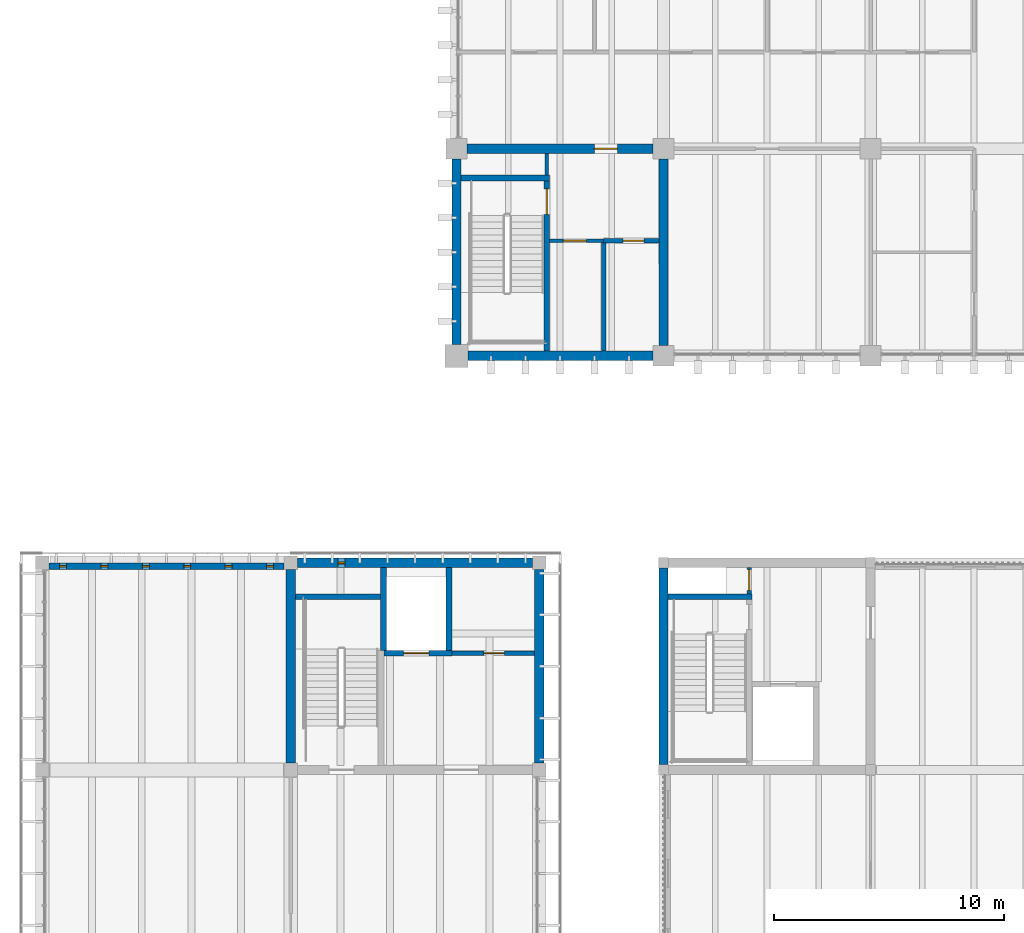
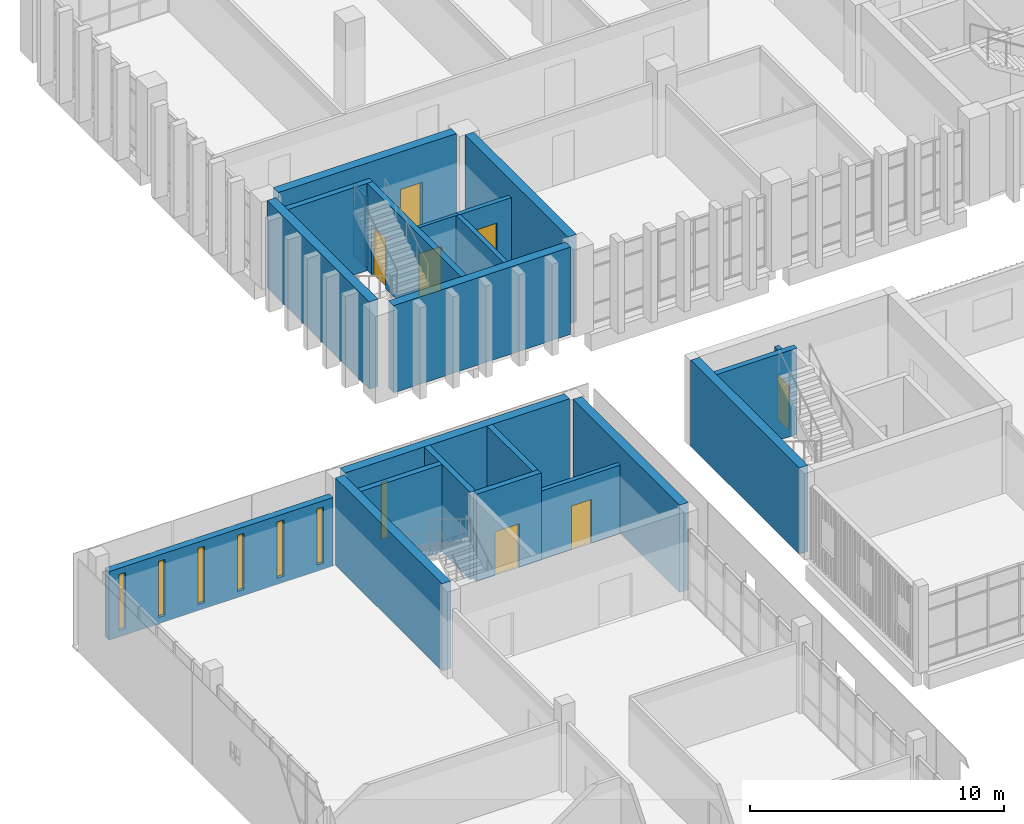
# One storey, part 57 of 88: 22 walls, 7 doors, 7 windows, 14 openings.
"""IFC4 building model written with IfcOpenShell, lengths in metres."""

import ifcopenshell
import ifcopenshell.guid

model = None  # the IFC model being written
_history = None  # IfcOwnerHistory: only IFC2X3 demands one
_inside = {}  # id of a spatial element -> (the spatial element, [elements in it])
_under = {}  # id of a project, library or spatial element -> (it, [spatial elements below it])
_declared = {}  # id of a project -> (the project, [libraries it declares])
_typed = {}  # id of a type object -> (the type object, [elements of that type])
_made_of = {}  # id of a material, layer set ... -> (it, [elements and type objects made of it])


def new_model(schema):
    """Start an empty IFC model of exactly this schema.

    Asked for "IFC4X3", IfcOpenShell would pick the latest addendum, in which some entities
    have other attributes; the version numbers below select the first issue.
    IFC2X3 requires an IfcOwnerHistory on every rooted entity: one is made here for all.
    """
    global model, _history
    if schema == "IFC4X3":
        model = ifcopenshell.file(schema_version=(4, 3, 0, 0))
    else:
        model = ifcopenshell.file(schema=schema)
    _inside.clear()
    _under.clear()
    _declared.clear()
    _typed.clear()
    _made_of.clear()
    _history = None
    if model.schema == "IFC2X3":
        org = make("IfcOrganization", Name="unknown")
        user = make(
            "IfcPersonAndOrganization",
            ThePerson=make("IfcPerson", FamilyName="unknown"),
            TheOrganization=org,
        )
        app = make(
            "IfcApplication",
            ApplicationDeveloper=org,
            Version="unknown",
            ApplicationFullName="unknown",
            ApplicationIdentifier="unknown",
        )
        _history = make(
            "IfcOwnerHistory",
            OwningUser=user,
            OwningApplication=app,
            ChangeAction="ADDED",
            CreationDate=0,
        )
    return model


def make(cls, **values):
    """One entity of the class cls with the attributes given. An attribute that is None is left unset."""
    return model.create_entity(
        cls, **{name: value for name, value in values.items() if value is not None}
    )


def rooted(cls, **values):
    """An entity with a GlobalId (a new one), such as an element, a storey or a relation."""
    return make(cls, GlobalId=ifcopenshell.guid.new(), OwnerHistory=_history, **values)


def si_unit(unit_type, name, prefix=None):
    """IfcSIUnit, for example si_unit("LENGTHUNIT", "METRE", prefix="MILLI")."""
    return make("IfcSIUnit", UnitType=unit_type, Prefix=prefix, Name=name)


def assignment(units):
    """IfcUnitAssignment: the units of a project."""
    return None if units is None else make("IfcUnitAssignment", Units=units)


def point(xyz):
    """IfcCartesianPoint."""
    return None if xyz is None else make("IfcCartesianPoint", Coordinates=xyz)


def direction(xyz):
    """IfcDirection."""
    return None if xyz is None else make("IfcDirection", DirectionRatios=xyz)


def frame(location, z_axis=None, x_axis=None):
    """IfcAxis2Placement3D, a coordinate frame: its origin and axes. An axis left out is left unset."""
    return make(
        "IfcAxis2Placement3D",
        Location=point(location),
        Axis=direction(z_axis),
        RefDirection=direction(x_axis),
    )


def frame_2d(location, x_axis=None):
    """IfcAxis2Placement2D, a coordinate frame in the plane: its origin and x axis."""
    return make(
        "IfcAxis2Placement2D", Location=point(location), RefDirection=direction(x_axis)
    )


def origin():
    """The frame at (0, 0, 0) with its axes left unset."""
    return frame((0.0, 0.0, 0.0))


def place(relative_to, where):
    """IfcLocalPlacement: puts the frame where relative to a parent placement (None: the world)."""
    return make(
        "IfcLocalPlacement", PlacementRelTo=relative_to, RelativePlacement=where
    )


def context(
    kind, dimensions, precision=None, world=None, true_north=None, identifier=None
):
    """IfcGeometricRepresentationContext, for example the 3D "Model" context."""
    return make(
        "IfcGeometricRepresentationContext",
        ContextIdentifier=identifier,
        ContextType=kind,
        CoordinateSpaceDimension=dimensions,
        Precision=precision,
        WorldCoordinateSystem=world,
        TrueNorth=true_north,
    )


def subcontext(parent, identifier, kind, view, scale=None):
    """IfcGeometricRepresentationSubContext, for example "Body" below "Model"."""
    return make(
        "IfcGeometricRepresentationSubContext",
        ContextIdentifier=identifier,
        ContextType=kind,
        ParentContext=parent,
        TargetScale=scale,
        TargetView=view,
    )


def project(units=None, contexts=None):
    """IfcProject with its units and contexts."""
    return rooted(
        "IfcProject",
        Name="project",
        RepresentationContexts=contexts,
        UnitsInContext=assignment(units),
    )


def spatial(cls, under=None, at=None, **own):
    """A site, building, storey or space (cls), placed at a placement, below another one or the project."""
    s = rooted(cls, ObjectPlacement=at, **own)
    if under is not None:
        _under.setdefault(under.id(), (under, []))[1].append(s)
    return s


def profile(cls, at=None, kind="AREA", **sizes):
    """A parametric profile (cls). Its sizes go by their IFC names, for example OverallWidth=200.0."""
    return make(cls, ProfileType=kind, Position=at, **sizes)


def rectangle(**sizes):
    """IfcRectangleProfileDef."""
    return profile("IfcRectangleProfileDef", **sizes)


def extrude(swept, where, along, depth):
    """IfcExtrudedAreaSolid: the profile swept, set in the frame where, extruded along a direction by depth."""
    return make(
        "IfcExtrudedAreaSolid",
        SweptArea=swept,
        Position=where,
        ExtrudedDirection=direction(along),
        Depth=depth,
    )


def shape(context_of_items, identifier, shape_type, items):
    """IfcShapeRepresentation: the items that make up one representation, for example the "Body"."""
    return make(
        "IfcShapeRepresentation",
        ContextOfItems=context_of_items,
        RepresentationIdentifier=identifier,
        RepresentationType=shape_type,
        Items=items,
    )


def material(Name=None, Category=None):
    """IfcMaterial."""
    return make("IfcMaterial", Name=Name, Category=Category)


def layer(
    of_material, thickness, ventilated=None, Name=None, Category=None, Priority=None
):
    """IfcMaterialLayer: one layer of a wall or slab, of a material (None: an air gap)."""
    return make(
        "IfcMaterialLayer",
        Material=of_material,
        LayerThickness=thickness,
        IsVentilated=ventilated,
        Name=Name,
        Category=Category,
        Priority=Priority,
    )


def layer_set(layers, Name=None):
    """IfcMaterialLayerSet."""
    return make("IfcMaterialLayerSet", MaterialLayers=layers, LayerSetName=Name)


def made_of(thing, what):
    """Note that an element or type object is made of a material, layer set ...; save() writes the relation."""
    if what is not None:
        _made_of.setdefault(what.id(), (what, []))[1].append(thing)
    return thing


def type_object(cls, material=None, **own):
    """A type object (cls), such as IfcWallType, which elements share."""
    return made_of(rooted(cls, **own), material)


def element(
    cls,
    number,
    at=None,
    inside=None,
    cuts=None,
    type_object=None,
    material=None,
    context=None,
    identifier="Body",
    shape_type=None,
    held_by="IfcProductDefinitionShape",
    body=None,
    shapes=None,
    **own,
):
    """One element of the class cls, such as IfcWall. Its Tag is "e" and its number.

    at: its placement. inside: the storey or other place that contains it. cuts: it is an
    opening in that element (IfcRelVoidsElement). A single representation is given by context,
    identifier, shape_type and body (its items); several are given by shapes. held_by: the class
    of the entity that holds the representations. save() writes the other relations.
    """
    e = rooted(cls, Tag="e%d" % number, ObjectPlacement=at, **own)
    if body is not None:
        shapes = [shape(context, identifier, shape_type, body)]
    if shapes is not None:
        e.Representation = make(held_by, Representations=shapes)
    if inside is not None:
        _inside.setdefault(inside.id(), (inside, []))[1].append(e)
    if cuts is not None:
        rooted(
            "IfcRelVoidsElement", RelatingBuildingElement=cuts, RelatedOpeningElement=e
        )
    if type_object is not None:
        _typed.setdefault(type_object.id(), (type_object, []))[1].append(e)
    return made_of(e, material)


def fill(opening, filler):
    """IfcRelFillsElement: the door or window that sits in an opening."""
    return rooted(
        "IfcRelFillsElement",
        RelatingOpeningElement=opening,
        RelatedBuildingElement=filler,
    )


def aggregate(whole, parts):
    """IfcRelAggregates: a whole, such as a stair, and the parts it consists of."""
    return rooted("IfcRelAggregates", RelatingObject=whole, RelatedObjects=parts)


def save(model, path):
    """Write the relations noted so far, then the file.

    IfcRelAggregates (storeys below a building ...), IfcRelContainedInSpatialStructure (elements
    in a storey), IfcRelDefinesByType, IfcRelAssociatesMaterial and IfcRelDeclares: one each for
    every whole, place, type object, material and project.
    """
    for whole, parts in _under.values():
        aggregate(whole, parts)
    for where, things in _inside.values():
        rooted(
            "IfcRelContainedInSpatialStructure",
            RelatedElements=things,
            RelatingStructure=where,
        )
    for kind, things in _typed.values():
        rooted("IfcRelDefinesByType", RelatedObjects=things, RelatingType=kind)
    for what, things in _made_of.values():
        rooted("IfcRelAssociatesMaterial", RelatedObjects=things, RelatingMaterial=what)
    for by, libraries in _declared.values():
        rooted("IfcRelDeclares", RelatingContext=by, RelatedDefinitions=libraries)
    model.write(path)


model = new_model("IFC4")

# Units and contexts
model_context = context("Model", 3, precision=1e-05, world=origin(), true_north=direction((0.0, 1.0)))
body_context = subcontext(model_context, "Body", "Model", "MODEL_VIEW")
ifc_project = project(units=[si_unit("LENGTHUNIT", "METRE"), si_unit("AREAUNIT", "SQUARE_METRE"), si_unit("VOLUMEUNIT", "CUBIC_METRE"), si_unit("PLANEANGLEUNIT", "RADIAN"), si_unit("MASSUNIT", "GRAM", prefix="KILO")], contexts=[model_context])

# Site, building, storey
site_placement = place(None, origin())
site = spatial("IfcSite", under=ifc_project, at=site_placement, CompositionType="ELEMENT")
building_placement = place(site_placement, origin())
building = spatial("IfcBuilding", under=site, at=building_placement, Name="Merrow Basin Faculty of Sciences", CompositionType="ELEMENT")
storey_placement = place(building_placement, frame((0.0, 0.0, 9.0)))
storey = spatial("IfcBuildingStorey", under=building, at=storey_placement, Name="L02", CompositionType="ELEMENT", Elevation=9.0)

# Wall
ifc_material_1 = material(Name="Fire-rated gypsum board")
ifc_layer_1 = layer(ifc_material_1, 0.14990234375)
ifc_layer_set_1 = layer_set([ifc_layer_1], Name="Corridor partition 150 fire-rated board on steel studs")
wall_type_1 = type_object("IfcWallType", Name="Corridor partition 150 fire-rated board on steel studs", PredefinedType="PARTITIONING", material=ifc_layer_set_1)
wall_1_placement = place(storey_placement, frame((21.925048828125, 149.85009765625, 0.0), z_axis=(0.0, 0.0, 1.0), x_axis=(0.0, 1.0, 0.0)))
element("IfcWall", 1, at=wall_1_placement, inside=storey, type_object=wall_type_1, Name="IW151 L02 003", PredefinedType="PARTITIONING", context=body_context, shape_type="SweptSolid", body=[
    extrude(rectangle(XDim=0.949951171875, YDim=0.14990234375, at=frame_2d((0.47509765625, 0.0))), origin(), (0.0, 0.0, 1.0), 3.39990234375),
])

# Wall, opening, door
wall_2_placement = place(storey_placement, frame((22.050048828125, 147.0, 0.0), z_axis=(0.0, 0.0, 1.0), x_axis=(1.0, 0.0, 0.0)))
wall_2 = element("IfcWall", 2, at=wall_2_placement, inside=storey, type_object=wall_type_1, Name="IW151 L02 005", PredefinedType="PARTITIONING", context=body_context, shape_type="SweptSolid", body=[
    extrude(rectangle(XDim=2.349853515625, YDim=0.14990234375, at=frame_2d((1.1748046875, 0.0))), origin(), (0.0, 0.0, 1.0), 3.39990234375),
])
opening_1_placement = place(wall_2_placement, frame((0.60009765625, 0.0, 0.0)))
opening_1 = element("IfcOpeningElement", 3, at=opening_1_placement, cuts=wall_2, Name="Opening D02T006", PredefinedType="OPENING", context=body_context, shape_type="SweptSolid", body=[
    extrude(rectangle(XDim=1.0, YDim=2.10009765625, at=frame_2d((0.5, 1.050048828125))), frame((0.0, 0.0849609375, 0.0), z_axis=(0.0, -1.0, 0.0), x_axis=(1.0, 0.0, 0.0)), (0.0, 0.0, 1.0), 0.169921875),
])
ifc_material_2 = material(Name="Timber door leaf", Category="wood")
door_type_1 = type_object("IfcDoorType", Name="Accessible door 1000 x 2100", OperationType="NOTDEFINED", PredefinedType="DOOR", material=ifc_material_2)
door_1_placement = place(opening_1_placement, origin())
door_1 = element("IfcDoor", 4, at=door_1_placement, inside=storey, type_object=door_type_1, Name="Door D02T006", OperationType="SINGLE_SWING_LEFT", OverallHeight=2.10009765625, OverallWidth=1.0, PredefinedType="DOOR", context=body_context, shape_type="SweptSolid", body=[
    extrude(rectangle(XDim=1.0, YDim=2.10009765625, at=frame_2d((0.5, 1.050048828125))), frame((0.0, 0.02490234375, 0.0), z_axis=(0.0, -1.0, 0.0), x_axis=(1.0, 0.0, 0.0)), (0.0, 0.0, 1.0), 0.050048828125),
])
fill(opening_1, door_1)

# Wall, openings, windows
ifc_material_3 = material(Name="Precast concrete C40/50", Category="concrete")
ifc_layer_2 = layer(ifc_material_3, 0.300048828125)
ifc_layer_set_2 = layer_set([ifc_layer_2], Name="End wall 300 Precast concrete C40/50")
wall_type_2 = type_object("IfcWallType", Name="End wall 300 Precast concrete C40/50", PredefinedType="STANDARD", material=ifc_layer_set_2)
wall_3_placement = place(storey_placement, frame((10.5, 132.85009765625, 0.0), z_axis=(0.0, 0.0, 1.0), x_axis=(-1.0, 0.0, 0.0)))
wall_3 = element("IfcWall", 5, at=wall_3_placement, inside=storey, type_object=wall_type_2, Name="North end wall 1", PredefinedType="STANDARD", context=body_context, shape_type="SweptSolid", body=[
    extrude(rectangle(XDim=10.199951171875, YDim=0.300048828125, at=frame_2d((5.10009765625, 0.0))), origin(), (0.0, 0.0, 1.0), 3.300048828125),
])
opening_2_placement = place(wall_3_placement, frame((9.449951171875, 0.0, 0.300048828125)))
opening_2 = element("IfcOpeningElement", 6, at=opening_2_placement, cuts=wall_3, Name="Opening WN1", PredefinedType="OPENING", context=body_context, shape_type="SweptSolid", body=[
    extrude(rectangle(XDim=0.300048828125, YDim=2.699951171875, at=frame_2d((0.14990234375, 1.35009765625))), frame((0.0, 0.159912109375, 0.0), z_axis=(0.0, -1.0, 0.0), x_axis=(1.0, 0.0, 0.0)), (0.0, 0.0, 1.0), 0.320068359375),
])
opening_3_placement = place(wall_3_placement, frame((7.64990234375, 0.0, 0.300048828125)))
opening_3 = element("IfcOpeningElement", 7, at=opening_3_placement, cuts=wall_3, Name="Opening WN1", PredefinedType="OPENING", context=body_context, shape_type="SweptSolid", body=[
    extrude(rectangle(XDim=0.300048828125, YDim=2.699951171875, at=frame_2d((0.14990234375, 1.35009765625))), frame((0.0, 0.159912109375, 0.0), z_axis=(0.0, -1.0, 0.0), x_axis=(1.0, 0.0, 0.0)), (0.0, 0.0, 1.0), 0.320068359375),
])
opening_4_placement = place(wall_3_placement, frame((5.85009765625, 0.0, 0.300048828125)))
opening_4 = element("IfcOpeningElement", 8, at=opening_4_placement, cuts=wall_3, Name="Opening WN1", PredefinedType="OPENING", context=body_context, shape_type="SweptSolid", body=[
    extrude(rectangle(XDim=0.300048828125, YDim=2.699951171875, at=frame_2d((0.14990234375, 1.35009765625))), frame((0.0, 0.159912109375, 0.0), z_axis=(0.0, -1.0, 0.0), x_axis=(1.0, 0.0, 0.0)), (0.0, 0.0, 1.0), 0.320068359375),
])
opening_5_placement = place(wall_3_placement, frame((4.050048828125, 0.0, 0.300048828125)))
opening_5 = element("IfcOpeningElement", 9, at=opening_5_placement, cuts=wall_3, Name="Opening WN1", PredefinedType="OPENING", context=body_context, shape_type="SweptSolid", body=[
    extrude(rectangle(XDim=0.300048828125, YDim=2.699951171875, at=frame_2d((0.14990234375, 1.35009765625))), frame((0.0, 0.159912109375, 0.0), z_axis=(0.0, -1.0, 0.0), x_axis=(1.0, 0.0, 0.0)), (0.0, 0.0, 1.0), 0.320068359375),
])
opening_6_placement = place(wall_3_placement, frame((2.25, 0.0, 0.300048828125)))
opening_6 = element("IfcOpeningElement", 10, at=opening_6_placement, cuts=wall_3, Name="Opening WN1", PredefinedType="OPENING", context=body_context, shape_type="SweptSolid", body=[
    extrude(rectangle(XDim=0.300048828125, YDim=2.699951171875, at=frame_2d((0.14990234375, 1.35009765625))), frame((0.0, 0.159912109375, 0.0), z_axis=(0.0, -1.0, 0.0), x_axis=(1.0, 0.0, 0.0)), (0.0, 0.0, 1.0), 0.320068359375),
])
opening_7_placement = place(wall_3_placement, frame((0.449951171875, 0.0, 0.300048828125)))
opening_7 = element("IfcOpeningElement", 11, at=opening_7_placement, cuts=wall_3, Name="Opening WN1", PredefinedType="OPENING", context=body_context, shape_type="SweptSolid", body=[
    extrude(rectangle(XDim=0.300048828125, YDim=2.699951171875, at=frame_2d((0.14990234375, 1.35009765625))), frame((0.0, 0.159912109375, 0.0), z_axis=(0.0, -1.0, 0.0), x_axis=(1.0, 0.0, 0.0)), (0.0, 0.0, 1.0), 0.320068359375),
])
ifc_material_4 = material(Name="Low-E double glazing", Category="glass")
window_type = type_object("IfcWindowType", Name="Slot window 300 x 2700", PartitioningType="SINGLE_PANEL", PredefinedType="WINDOW", material=ifc_material_4)
window_1_placement = place(opening_2_placement, origin())
window_1 = element("IfcWindow", 12, at=window_1_placement, inside=storey, type_object=window_type, Name="North slot window L02", OverallHeight=2.699951171875, OverallWidth=0.300048828125, PartitioningType="SINGLE_PANEL", PredefinedType="WINDOW", context=body_context, shape_type="SweptSolid", body=[
    extrude(rectangle(XDim=0.300048828125, YDim=2.699951171875, at=frame_2d((0.14990234375, 1.35009765625))), frame((0.0, 0.030029296875, 0.0), z_axis=(0.0, -1.0, 0.0), x_axis=(1.0, 0.0, 0.0)), (0.0, 0.0, 1.0), 0.06005859375),
])
fill(opening_2, window_1)
window_2_placement = place(opening_3_placement, origin())
window_2 = element("IfcWindow", 13, at=window_2_placement, inside=storey, type_object=window_type, Name="North slot window L02", OverallHeight=2.699951171875, OverallWidth=0.300048828125, PartitioningType="SINGLE_PANEL", PredefinedType="WINDOW", context=body_context, shape_type="SweptSolid", body=[
    extrude(rectangle(XDim=0.300048828125, YDim=2.699951171875, at=frame_2d((0.14990234375, 1.35009765625))), frame((0.0, 0.030029296875, 0.0), z_axis=(0.0, -1.0, 0.0), x_axis=(1.0, 0.0, 0.0)), (0.0, 0.0, 1.0), 0.06005859375),
])
fill(opening_3, window_2)
window_3_placement = place(opening_4_placement, origin())
window_3 = element("IfcWindow", 14, at=window_3_placement, inside=storey, type_object=window_type, Name="North slot window L02", OverallHeight=2.699951171875, OverallWidth=0.300048828125, PartitioningType="SINGLE_PANEL", PredefinedType="WINDOW", context=body_context, shape_type="SweptSolid", body=[
    extrude(rectangle(XDim=0.300048828125, YDim=2.699951171875, at=frame_2d((0.14990234375, 1.35009765625))), frame((0.0, 0.030029296875, 0.0), z_axis=(0.0, -1.0, 0.0), x_axis=(1.0, 0.0, 0.0)), (0.0, 0.0, 1.0), 0.06005859375),
])
fill(opening_4, window_3)
window_4_placement = place(opening_5_placement, origin())
window_4 = element("IfcWindow", 15, at=window_4_placement, inside=storey, type_object=window_type, Name="North slot window L02", OverallHeight=2.699951171875, OverallWidth=0.300048828125, PartitioningType="SINGLE_PANEL", PredefinedType="WINDOW", context=body_context, shape_type="SweptSolid", body=[
    extrude(rectangle(XDim=0.300048828125, YDim=2.699951171875, at=frame_2d((0.14990234375, 1.35009765625))), frame((0.0, 0.030029296875, 0.0), z_axis=(0.0, -1.0, 0.0), x_axis=(1.0, 0.0, 0.0)), (0.0, 0.0, 1.0), 0.06005859375),
])
fill(opening_5, window_4)
window_5_placement = place(opening_6_placement, origin())
window_5 = element("IfcWindow", 16, at=window_5_placement, inside=storey, type_object=window_type, Name="North slot window L02", OverallHeight=2.699951171875, OverallWidth=0.300048828125, PartitioningType="SINGLE_PANEL", PredefinedType="WINDOW", context=body_context, shape_type="SweptSolid", body=[
    extrude(rectangle(XDim=0.300048828125, YDim=2.699951171875, at=frame_2d((0.14990234375, 1.35009765625))), frame((0.0, 0.030029296875, 0.0), z_axis=(0.0, -1.0, 0.0), x_axis=(1.0, 0.0, 0.0)), (0.0, 0.0, 1.0), 0.06005859375),
])
fill(opening_6, window_5)
window_6_placement = place(opening_7_placement, origin())
window_6 = element("IfcWindow", 17, at=window_6_placement, inside=storey, type_object=window_type, Name="North slot window L02", OverallHeight=2.699951171875, OverallWidth=0.300048828125, PartitioningType="SINGLE_PANEL", PredefinedType="WINDOW", context=body_context, shape_type="SweptSolid", body=[
    extrude(rectangle(XDim=0.300048828125, YDim=2.699951171875, at=frame_2d((0.14990234375, 1.35009765625))), frame((0.0, 0.030029296875, 0.0), z_axis=(0.0, -1.0, 0.0), x_axis=(1.0, 0.0, 0.0)), (0.0, 0.0, 1.0), 0.06005859375),
])
fill(opening_7, window_6)

# Wall, opening, door
ifc_material_5 = material(Name="Fire-rated gypsum board")
ifc_layer_3 = layer(ifc_material_5, 0.199951171875)
ifc_layer_set_3 = layer_set([ifc_layer_3], Name="Riser lining 200 fire-rated board on steel studs")
wall_type_3 = type_object("IfcWallType", Name="Riser lining 200 fire-rated board on steel studs", PredefinedType="PARTITIONING", material=ifc_layer_set_3)
wall_4_placement = place(storey_placement, frame((17.800048828125, 129.074951171875, 0.0), z_axis=(0.0, 0.0, 1.0), x_axis=(1.0, 0.0, 0.0)))
wall_4 = element("IfcWall", 18, at=wall_4_placement, inside=storey, type_object=wall_type_3, Name="IW200 L02 005", PredefinedType="PARTITIONING", context=body_context, shape_type="SweptSolid", body=[
    extrude(rectangle(XDim=3.599853515625, YDim=0.199951171875, at=frame_2d((1.7998046875, 0.0))), origin(), (0.0, 0.0, 1.0), 3.300048828125),
])
opening_8_placement = place(wall_4_placement, frame((1.387939453125, 0.0, 0.0)))
opening_8 = element("IfcOpeningElement", 19, at=opening_8_placement, cuts=wall_4, Name="Opening D02B011", PredefinedType="OPENING", context=body_context, shape_type="SweptSolid", body=[
    extrude(rectangle(XDim=0.89990234375, YDim=2.10009765625, at=frame_2d((0.449951171875, 1.050048828125))), frame((0.0, 0.10986328125, 0.0), z_axis=(0.0, -1.0, 0.0), x_axis=(1.0, 0.0, 0.0)), (0.0, 0.0, 1.0), 0.219970703125),
])
ifc_material_6 = material(Name="Fire-rated steel door", Category="steel")
door_type_2 = type_object("IfcDoorType", Name="Fire door FD60 900 x 2100", OperationType="NOTDEFINED", PredefinedType="DOOR", material=ifc_material_6)
door_2_placement = place(opening_8_placement, origin())
door_2 = element("IfcDoor", 20, at=door_2_placement, inside=storey, type_object=door_type_2, Name="Door D02B011", OperationType="SINGLE_SWING_RIGHT", OverallHeight=2.10009765625, OverallWidth=0.89990234375, PredefinedType="DOOR", context=body_context, shape_type="SweptSolid", body=[
    extrude(rectangle(XDim=0.89990234375, YDim=2.10009765625, at=frame_2d((0.449951171875, 1.050048828125))), frame((0.0, 0.02490234375, 0.0), z_axis=(0.0, -1.0, 0.0), x_axis=(1.0, 0.0, 0.0)), (0.0, 0.0, 1.0), 0.050048828125),
])
fill(opening_8, door_2)

# Wall
wall_5_placement = place(storey_placement, frame((24.39990234375, 142.199951171875, 0.0), z_axis=(0.0, 0.0, 1.0), x_axis=(0.0, 1.0, 0.0)))
element("IfcWall", 21, at=wall_5_placement, inside=storey, type_object=wall_type_3, Name="IW200 L02 001", PredefinedType="PARTITIONING", context=body_context, shape_type="SweptSolid", body=[
    extrude(rectangle(XDim=4.800048828125, YDim=0.199951171875, at=frame_2d((2.39990234375, 0.0))), origin(), (0.0, 0.0, 1.0), 3.39990234375),
])

# Wall, opening, door
wall_6_placement = place(storey_placement, frame((24.39990234375, 147.0, 0.0), z_axis=(0.0, 0.0, 1.0), x_axis=(1.0, 0.0, 0.0)))
wall_6 = element("IfcWall", 22, at=wall_6_placement, inside=storey, type_object=wall_type_3, Name="IW200 L02 002", PredefinedType="PARTITIONING", context=body_context, shape_type="SweptSolid", body=[
    extrude(rectangle(XDim=2.400146484375, YDim=0.199951171875, at=frame_2d((1.2001953125, 0.0))), origin(), (0.0, 0.0, 1.0), 3.39990234375),
])
opening_9_placement = place(wall_6_placement, frame((0.85009765625, 0.0, 0.0)))
opening_9 = element("IfcOpeningElement", 23, at=opening_9_placement, cuts=wall_6, Name="Opening D02T007", PredefinedType="OPENING", context=body_context, shape_type="SweptSolid", body=[
    extrude(rectangle(XDim=0.89990234375, YDim=2.39990234375, at=frame_2d((0.449951171875, 1.199951171875))), frame((0.0, 0.10986328125, 0.0), z_axis=(0.0, -1.0, 0.0), x_axis=(1.0, 0.0, 0.0)), (0.0, 0.0, 1.0), 0.219970703125),
])
ifc_material_7 = material(Name="Fire-rated steel door", Category="steel")
door_type_3 = type_object("IfcDoorType", Name="Fire door FD60 900 x 2400", OperationType="NOTDEFINED", PredefinedType="DOOR", material=ifc_material_7)
door_3_placement = place(opening_9_placement, origin())
door_3 = element("IfcDoor", 24, at=door_3_placement, inside=storey, type_object=door_type_3, Name="Door D02T007", OperationType="SINGLE_SWING_RIGHT", OverallHeight=2.39990234375, OverallWidth=0.89990234375, PredefinedType="DOOR", context=body_context, shape_type="SweptSolid", body=[
    extrude(rectangle(XDim=0.89990234375, YDim=2.39990234375, at=frame_2d((0.449951171875, 1.199951171875))), frame((0.0, 0.02490234375, 0.0), z_axis=(0.0, -1.0, 0.0), x_axis=(1.0, 0.0, 0.0)), (0.0, 0.0, 1.0), 0.050048828125),
])
fill(opening_9, door_3)

wall_7_placement = place(storey_placement, frame((30.72509765625, 131.64990234375, 0.0), z_axis=(0.0, 0.0, 1.0), x_axis=(0.0, 1.0, 0.0)))
wall_7 = element("IfcWall", 25, at=wall_7_placement, inside=storey, type_object=wall_type_3, Name="IW200 L02 001", PredefinedType="PARTITIONING", context=body_context, shape_type="SweptSolid", body=[
    extrude(rectangle(XDim=1.150146484375, YDim=0.199951171875, at=frame_2d((0.5751953125, 0.0))), origin(), (0.0, 0.0, 1.0), 3.449951171875),
])
opening_10_placement = place(wall_7_placement, frame((0.14990234375, 0.0, 0.0)))
opening_10 = element("IfcOpeningElement", 26, at=opening_10_placement, cuts=wall_7, Name="Opening D02C012", PredefinedType="OPENING", context=body_context, shape_type="SweptSolid", body=[
    extrude(rectangle(XDim=0.89990234375, YDim=2.10009765625, at=frame_2d((0.449951171875, 1.050048828125))), frame((0.0, 0.10986328125, 0.0), z_axis=(0.0, -1.0, 0.0), x_axis=(1.0, 0.0, 0.0)), (0.0, 0.0, 1.0), 0.219970703125),
])
door_4_placement = place(opening_10_placement, origin())
door_4 = element("IfcDoor", 27, at=door_4_placement, inside=storey, type_object=door_type_2, Name="Door D02C012", OperationType="SINGLE_SWING_LEFT", OverallHeight=2.10009765625, OverallWidth=0.89990234375, PredefinedType="DOOR", context=body_context, shape_type="SweptSolid", body=[
    extrude(rectangle(XDim=0.89990234375, YDim=2.10009765625, at=frame_2d((0.449951171875, 1.050048828125))), frame((0.0, 0.02490234375, 0.0), z_axis=(0.0, -1.0, 0.0), x_axis=(1.0, 0.0, 0.0)), (0.0, 0.0, 1.0), 0.050048828125),
])
fill(opening_10, door_4)

# Wall
ifc_material_8 = material(Name="Concrete C40/50", Category="concrete")
ifc_layer_4 = layer(ifc_material_8, 0.25)
ifc_layer_set_4 = layer_set([ifc_layer_4], Name="Shear wall 250 Concrete C40/50")
wall_type_4 = type_object("IfcWallType", Name="Shear wall 250 Concrete C40/50", PredefinedType="SHEAR", material=ifc_layer_set_4)
wall_8_placement = place(storey_placement, frame((11.0, 131.52490234375, 0.0), z_axis=(0.0, 0.0, 1.0), x_axis=(1.0, 0.0, 0.0)))
element("IfcWall", 28, at=wall_8_placement, inside=storey, type_object=wall_type_4, Name="SW2 L02 019", PredefinedType="SHEAR", context=body_context, shape_type="SweptSolid", body=[
    extrude(rectangle(XDim=3.85009765625, YDim=0.25, at=frame_2d((1.925048828125, 0.0))), origin(), (0.0, 0.0, 1.0), 4.199951171875),
])

# Wall, opening, door
wall_9_placement = place(storey_placement, frame((14.85009765625, 129.074951171875, 0.0), z_axis=(0.0, 0.0, 1.0), x_axis=(1.0, 0.0, 0.0)))
wall_9 = element("IfcWall", 29, at=wall_9_placement, inside=storey, type_object=wall_type_4, Name="SW2 L02 021", PredefinedType="SHEAR", context=body_context, shape_type="SweptSolid", body=[
    extrude(rectangle(XDim=2.949951171875, YDim=0.25, at=frame_2d((1.47509765625, 0.0))), origin(), (0.0, 0.0, 1.0), 4.199951171875),
])
opening_11_placement = place(wall_9_placement, frame((0.85009765625, 0.0, 0.0)))
opening_11 = element("IfcOpeningElement", 30, at=opening_11_placement, cuts=wall_9, Name="Opening LD02B02", PredefinedType="OPENING", context=body_context, shape_type="SweptSolid", body=[
    extrude(rectangle(XDim=1.10009765625, YDim=2.10009765625, at=frame_2d((0.550048828125, 1.050048828125))), frame((0.0, 0.135009765625, 0.0), z_axis=(0.0, -1.0, 0.0), x_axis=(1.0, 0.0, 0.0)), (0.0, 0.0, 1.0), 0.27001953125),
])
ifc_material_9 = material(Name="Stainless steel sliding door", Category="steel")
door_type_4 = type_object("IfcDoorType", Name="Lift landing door 1100 x 2100 sliding", OperationType="NOTDEFINED", PredefinedType="DOOR", material=ifc_material_9)
door_5_placement = place(opening_11_placement, origin())
door_5 = element("IfcDoor", 31, at=door_5_placement, inside=storey, type_object=door_type_4, Name="Landing door LF2 L02", OperationType="SLIDING_TO_LEFT", OverallHeight=2.10009765625, OverallWidth=1.10009765625, PredefinedType="DOOR", context=body_context, shape_type="SweptSolid", body=[
    extrude(rectangle(XDim=1.10009765625, YDim=2.10009765625, at=frame_2d((0.550048828125, 1.050048828125))), frame((0.0, 0.02490234375, 0.0), z_axis=(0.0, -1.0, 0.0), x_axis=(1.0, 0.0, 0.0)), (0.0, 0.0, 1.0), 0.050048828125),
])
fill(opening_11, door_5)

# Walls
for number, where, z_axis, x_axis, name in (
    (32, (14.824951171875, 129.199951171875, 0.0), (0.0, 0.0, 1.0), (0.0, 1.0, 0.0), "SW2 L02 022"),
    (33, (17.675048828125, 129.199951171875, 0.0), (0.0, 0.0, 1.0), (0.0, 1.0, 0.0), "SW2 L02 023"),
):
    element("IfcWall", number, at=place(storey_placement, frame(where, z_axis=z_axis, x_axis=x_axis)), inside=storey, type_object=wall_type_4, Name=name, PredefinedType="SHEAR", context=body_context, shape_type="SweptSolid", body=[
        extrude(rectangle(XDim=3.60009765625, YDim=0.25, at=frame_2d((1.800048828125, 0.0))), origin(), (0.0, 0.0, 1.0), 4.199951171875),
    ])
wall_10_placement = place(storey_placement, frame((27.199951171875, 131.52490234375, 0.0), z_axis=(0.0, 0.0, 1.0), x_axis=(1.0, 0.0, 0.0)))
element("IfcWall", 34, at=wall_10_placement, inside=storey, type_object=wall_type_4, Name="SW2 L02 005", PredefinedType="SHEAR", context=body_context, shape_type="SweptSolid", body=[
    extrude(rectangle(XDim=3.650146484375, YDim=0.25, at=frame_2d((1.8251953125, 0.0))), origin(), (0.0, 0.0, 1.0), 4.14990234375),
])
ifc_material_10 = material(Name="Concrete C50/60", Category="concrete")
ifc_layer_5 = layer(ifc_material_10, 0.25)
ifc_layer_set_5 = layer_set([ifc_layer_5], Name="Shear wall 250 Concrete C50/60")
wall_type_5 = type_object("IfcWallType", Name="Shear wall 250 Concrete C50/60", PredefinedType="SHEAR", material=ifc_layer_set_5)
wall_11_placement = place(storey_placement, frame((18.199951171875, 149.72509765625, 0.0), z_axis=(0.0, 0.0, 1.0), x_axis=(1.0, 0.0, 0.0)))
element("IfcWall", 35, at=wall_11_placement, inside=storey, type_object=wall_type_5, Name="SW4 L02 029", PredefinedType="SHEAR", context=body_context, shape_type="SweptSolid", body=[
    extrude(rectangle(XDim=3.85009765625, YDim=0.25, at=frame_2d((1.925048828125, 0.0))), origin(), (0.0, 0.0, 1.0), 4.199951171875),
])

# Wall, opening, door
wall_12_placement = place(storey_placement, frame((21.925048828125, 142.199951171875, 0.0), z_axis=(0.0, 0.0, 1.0), x_axis=(0.0, 1.0, 0.0)))
wall_12 = element("IfcWall", 36, at=wall_12_placement, inside=storey, type_object=wall_type_5, Name="SW4 L02 030", PredefinedType="SHEAR", context=body_context, shape_type="SweptSolid", body=[
    extrude(rectangle(XDim=7.400146484375, YDim=0.25, at=frame_2d((3.7001953125, 0.0))), origin(), (0.0, 0.0, 1.0), 4.199951171875),
])
opening_12_placement = place(wall_12_placement, frame((5.949951171875, 0.0, 0.0)))
opening_12 = element("IfcOpeningElement", 37, at=opening_12_placement, cuts=wall_12, Name="Opening D02T004", PredefinedType="OPENING", context=body_context, shape_type="SweptSolid", body=[
    extrude(rectangle(XDim=1.10009765625, YDim=2.39990234375, at=frame_2d((0.550048828125, 1.199951171875))), frame((0.0, 0.135009765625, 0.0), z_axis=(0.0, -1.0, 0.0), x_axis=(1.0, 0.0, 0.0)), (0.0, 0.0, 1.0), 0.27001953125),
])
ifc_material_11 = material(Name="Fire-rated steel door", Category="steel")
door_type_5 = type_object("IfcDoorType", Name="Fire door FD90 1100 x 2400", OperationType="NOTDEFINED", PredefinedType="DOOR", material=ifc_material_11)
door_6_placement = place(opening_12_placement, origin())
door_6 = element("IfcDoor", 38, at=door_6_placement, inside=storey, type_object=door_type_5, Name="Door D02T004", OperationType="SINGLE_SWING_RIGHT", OverallHeight=2.39990234375, OverallWidth=1.10009765625, PredefinedType="DOOR", context=body_context, shape_type="SweptSolid", body=[
    extrude(rectangle(XDim=1.10009765625, YDim=2.39990234375, at=frame_2d((0.550048828125, 1.199951171875))), frame((0.0, 0.02490234375, 0.0), z_axis=(0.0, -1.0, 0.0), x_axis=(1.0, 0.0, 0.0)), (0.0, 0.0, 1.0), 0.050048828125),
])
fill(opening_12, door_6)

# Wall, opening, window
ifc_material_12 = material(Name="Concrete C40/50", Category="concrete")
ifc_layer_6 = layer(ifc_material_12, 0.39990234375)
ifc_layer_set_6 = layer_set([ifc_layer_6], Name="Shear wall 400 Concrete C40/50")
wall_type_6 = type_object("IfcWallType", Name="Shear wall 400 Concrete C40/50", PredefinedType="SHEAR", material=ifc_layer_set_6)
wall_13_placement = place(storey_placement, frame((11.10009765625, 133.0, 0.0), z_axis=(0.0, 0.0, 1.0), x_axis=(1.0, 0.0, 0.0)))
wall_13 = element("IfcWall", 39, at=wall_13_placement, inside=storey, type_object=wall_type_6, Name="SW1 L02 016", PredefinedType="SHEAR", context=body_context, shape_type="SweptSolid", body=[
    extrude(rectangle(XDim=10.199951171875, YDim=0.39990234375, at=frame_2d((5.10009765625, 0.0))), origin(), (0.0, 0.0, 1.0), 4.199951171875),
])
opening_13_placement = place(wall_13_placement, frame((1.75, 0.0, 0.300048828125)))
opening_13 = element("IfcOpeningElement", 40, at=opening_13_placement, cuts=wall_13, Name="Opening WN1", PredefinedType="OPENING", context=body_context, shape_type="SweptSolid", body=[
    extrude(rectangle(XDim=0.300048828125, YDim=2.699951171875, at=frame_2d((0.14990234375, 1.35009765625))), frame((0.0, 0.2099609375, 0.0), z_axis=(0.0, -1.0, 0.0), x_axis=(1.0, 0.0, 0.0)), (0.0, 0.0, 1.0), 0.419921875),
])
window_7_placement = place(opening_13_placement, origin())
window_7 = element("IfcWindow", 41, at=window_7_placement, inside=storey, type_object=window_type, Name="Stair slot window C-V4-N L02", OverallHeight=2.699951171875, OverallWidth=0.300048828125, PartitioningType="SINGLE_PANEL", PredefinedType="WINDOW", context=body_context, shape_type="SweptSolid", body=[
    extrude(rectangle(XDim=0.300048828125, YDim=2.699951171875, at=frame_2d((0.14990234375, 1.35009765625))), frame((0.0, 0.030029296875, 0.0), z_axis=(0.0, -1.0, 0.0), x_axis=(1.0, 0.0, 0.0)), (0.0, 0.0, 1.0), 0.06005859375),
])
fill(opening_13, window_7)

# Walls
for number, where, z_axis, x_axis, name in (
    (42, (10.800048828125, 124.300048828125, 0.0), (0.0, 0.0, 1.0), (0.0, 1.0, 0.0), "SW1 L02 017"),
    (43, (21.60009765625, 124.300048828125, 0.0), (0.0, 0.0, 1.0), (0.0, 1.0, 0.0), "SW1 L02 018"),
):
    element("IfcWall", number, at=place(storey_placement, frame(where, z_axis=z_axis, x_axis=x_axis)), inside=storey, type_object=wall_type_6, Name=name, PredefinedType="SHEAR", context=body_context, shape_type="SweptSolid", body=[
        extrude(rectangle(XDim=8.39990234375, YDim=0.39990234375, at=frame_2d((4.199951171875, 0.0))), origin(), (0.0, 0.0, 1.0), 4.199951171875),
    ])
wall_14_placement = place(storey_placement, frame((27.0, 124.22509765625, 0.0), z_axis=(0.0, 0.0, 1.0), x_axis=(0.0, 1.0, 0.0)))
element("IfcWall", 44, at=wall_14_placement, inside=storey, type_object=wall_type_6, Name="SW1 L02 003", PredefinedType="SHEAR", context=body_context, shape_type="SweptSolid", body=[
    extrude(rectangle(XDim=8.5498046875, YDim=0.39990234375, at=frame_2d((4.27490234375, 0.0))), origin(), (0.0, 0.0, 1.0), 4.14990234375),
])
ifc_material_13 = material(Name="Concrete C50/60", Category="concrete")
ifc_layer_7 = layer(ifc_material_13, 0.39990234375)
ifc_layer_set_7 = layer_set([ifc_layer_7], Name="Shear wall 400 Concrete C50/60")
wall_type_7 = type_object("IfcWallType", Name="Shear wall 400 Concrete C50/60", PredefinedType="SHEAR", material=ifc_layer_set_7)
wall_15_placement = place(storey_placement, frame((18.5, 142.0, 0.0), z_axis=(0.0, 0.0, 1.0), x_axis=(1.0, 0.0, 0.0)))
element("IfcWall", 45, at=wall_15_placement, inside=storey, type_object=wall_type_7, Name="SW3 L02 025", PredefinedType="SHEAR", context=body_context, shape_type="SweptSolid", body=[
    extrude(rectangle(XDim=8.050048828125, YDim=0.39990234375, at=frame_2d((4.02490234375, 0.0))), origin(), (0.0, 0.0, 1.0), 4.199951171875),
])

# Wall, opening, door
wall_16_placement = place(storey_placement, frame((18.449951171875, 151.0, 0.0), z_axis=(0.0, 0.0, 1.0), x_axis=(1.0, 0.0, 0.0)))
wall_16 = element("IfcWall", 46, at=wall_16_placement, inside=storey, type_object=wall_type_7, Name="SW3 L02 026", PredefinedType="SHEAR", context=body_context, shape_type="SweptSolid", body=[
    extrude(rectangle(XDim=8.10009765625, YDim=0.39990234375, at=frame_2d((4.050048828125, 0.0))), origin(), (0.0, 0.0, 1.0), 4.199951171875),
])
opening_14_placement = place(wall_16_placement, frame((5.550048828125, 0.0, 0.0)))
opening_14 = element("IfcOpeningElement", 47, at=opening_14_placement, cuts=wall_16, Name="Opening D02T005", PredefinedType="OPENING", context=body_context, shape_type="SweptSolid", body=[
    extrude(rectangle(XDim=1.0, YDim=2.39990234375, at=frame_2d((0.5, 1.199951171875))), frame((0.0, 0.2099609375, 0.0), z_axis=(0.0, -1.0, 0.0), x_axis=(1.0, 0.0, 0.0)), (0.0, 0.0, 1.0), 0.419921875),
])
ifc_material_14 = material(Name="Fire-rated steel door", Category="steel")
door_type_6 = type_object("IfcDoorType", Name="Fire door FD60 1000 x 2400", OperationType="NOTDEFINED", PredefinedType="DOOR", material=ifc_material_14)
door_7_placement = place(opening_14_placement, origin())
door_7 = element("IfcDoor", 48, at=door_7_placement, inside=storey, type_object=door_type_6, Name="Door D02T005", OperationType="SINGLE_SWING_RIGHT", OverallHeight=2.39990234375, OverallWidth=1.0, PredefinedType="DOOR", context=body_context, shape_type="SweptSolid", body=[
    extrude(rectangle(XDim=1.0, YDim=2.39990234375, at=frame_2d((0.5, 1.199951171875))), frame((0.0, 0.02490234375, 0.0), z_axis=(0.0, -1.0, 0.0), x_axis=(1.0, 0.0, 0.0)), (0.0, 0.0, 1.0), 0.050048828125),
])
fill(opening_14, door_7)

# Walls
wall_17_placement = place(storey_placement, frame((18.0, 142.5, 0.0), z_axis=(0.0, 0.0, 1.0), x_axis=(0.0, 1.0, 0.0)))
element("IfcWall", 49, at=wall_17_placement, inside=storey, type_object=wall_type_7, Name="SW3 L02 027", PredefinedType="SHEAR", context=body_context, shape_type="SweptSolid", body=[
    extrude(rectangle(XDim=8.050048828125, YDim=0.39990234375, at=frame_2d((4.02490234375, 0.0))), origin(), (0.0, 0.0, 1.0), 4.199951171875),
])
wall_18_placement = place(storey_placement, frame((27.0, 142.449951171875, 0.0), z_axis=(0.0, 0.0, 1.0), x_axis=(0.0, 1.0, 0.0)))
element("IfcWall", 50, at=wall_18_placement, inside=storey, type_object=wall_type_7, Name="SW3 L02 028", PredefinedType="SHEAR", context=body_context, shape_type="SweptSolid", body=[
    extrude(rectangle(XDim=8.10009765625, YDim=0.39990234375, at=frame_2d((4.050048828125, 0.0))), origin(), (0.0, 0.0, 1.0), 4.199951171875),
])

save(model, "model.ifc")
